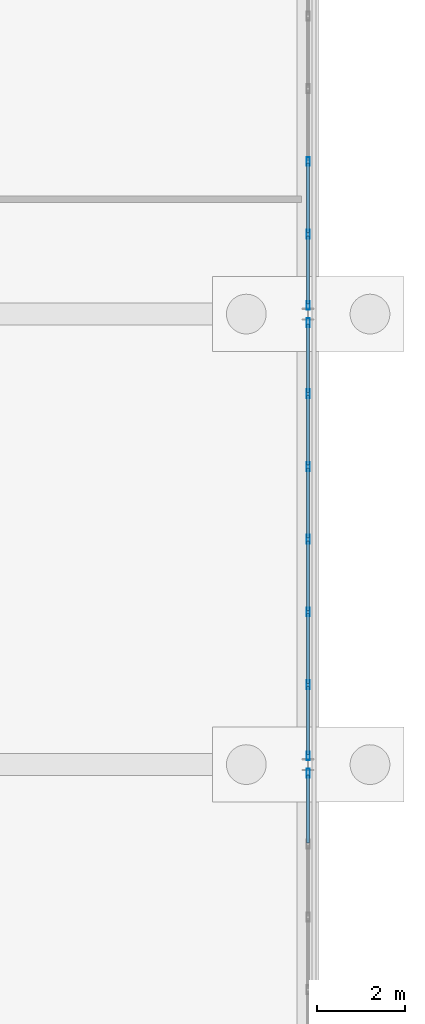
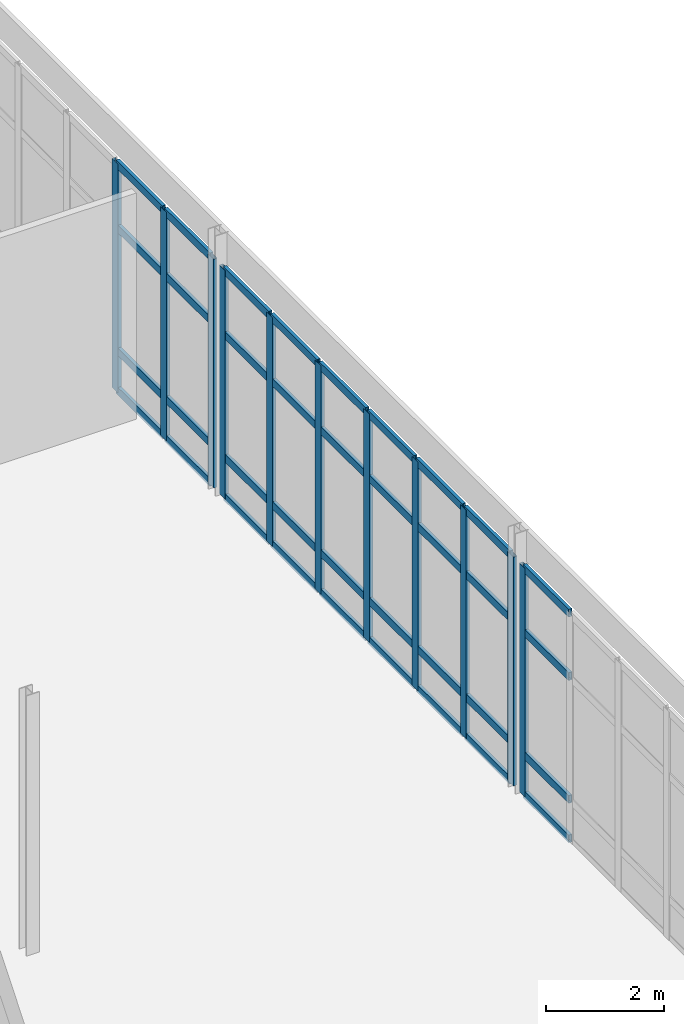
# One storey, part 78 of 137: 47 members, 3 elements without a shape of their own.
"""IFC4 building model written with IfcOpenShell, lengths in metres."""

from ifc_helpers import new_model, si_unit, direction, frame, origin, origin_2d, place, context, subcontext, project, spatial, hollow_rectangle, extrude, material, material_profile, profile_set, type_object, element, aggregate, save


model = new_model("IFC4")

# Units and contexts
model_context = context("Model", 3, precision=1e-05, world=origin(), true_north=direction((0.0, 1.0)))
body_context = subcontext(model_context, "Body", "Model", "MODEL_VIEW")
ifc_project = project(units=[si_unit("LENGTHUNIT", "METRE"), si_unit("AREAUNIT", "SQUARE_METRE"), si_unit("VOLUMEUNIT", "CUBIC_METRE"), si_unit("PLANEANGLEUNIT", "RADIAN"), si_unit("MASSUNIT", "GRAM", prefix="KILO")], contexts=[model_context])

# Site, building, storey
site_placement = place(None, origin())
site = spatial("IfcSite", under=ifc_project, at=site_placement, CompositionType="ELEMENT")
building_placement = place(site_placement, origin())
building = spatial("IfcBuilding", under=site, at=building_placement, Name="Vondelvale Polytechnic", CompositionType="ELEMENT")
storey_placement = place(building_placement, origin())
storey = spatial("IfcBuildingStorey", under=building, at=storey_placement, Name="L00", CompositionType="ELEMENT", Elevation=0.0)

# Curtain wall, member
ifc_material = material(Name="Anodised extruded aluminium 6063-T6", Category="aluminium")
curtain_wall_type = type_object("IfcCurtainWallType", Name="CW-REFECTORY", PredefinedType="NOTDEFINED", material=ifc_material)
curtain_wall_1_placement = place(storey_placement, origin())
curtain_wall_1 = element("IfcCurtainWall", 1, at=curtain_wall_1_placement, inside=storey, type_object=curtain_wall_type, Name="L00 architectural curtain wall CW-05-385", PredefinedType="NOTDEFINED")
ifc_material_profile_1 = material_profile(ifc_material, hollow_rectangle(XDim=0.070068359375, YDim=0.199951171875, WallThickness=0.00390625, at=origin_2d()), Name="CW-MUL-200x70")
ifc_profile_set_1 = profile_set([ifc_material_profile_1], Name="Anodised extruded aluminium 6063-T6")
member_type_1 = type_object("IfcMemberType", Name="CW-MUL-70x200", PredefinedType="MULLION", material=ifc_profile_set_1)
member_1_placement = place(storey_placement, frame((172.800048828125, 61.0048828125, 0.0), z_axis=(0.0, 0.0, 1.0), x_axis=(-1.0, 0.0, 0.0)))
member_1 = element("IfcMember", 2, at=member_1_placement, type_object=member_type_1, Name="CW-05-385 mullion 7", PredefinedType="MULLION", context=body_context, shape_type="SweptSolid", body=[
    extrude(hollow_rectangle(XDim=0.070068359375, YDim=0.199951171875, WallThickness=0.00390625, at=origin_2d()), origin(), (0.0, 0.0, 1.0), 4.75),
])

# Curtain wall, members
curtain_wall_2_placement = place(storey_placement, origin())
curtain_wall_2 = element("IfcCurtainWall", 3, at=curtain_wall_2_placement, inside=storey, type_object=curtain_wall_type, Name="L00 architectural curtain wall CW-05-386", PredefinedType="NOTDEFINED")
member_2_placement = place(storey_placement, frame((172.800048828125, 61.39501953125, 0.0), z_axis=(0.0, 0.0, 1.0), x_axis=(-1.0, 0.0, 0.0)))
member_2 = element("IfcMember", 4, at=member_2_placement, type_object=member_type_1, Name="CW-05-386 mullion 1", PredefinedType="MULLION", context=body_context, shape_type="SweptSolid", body=[
    extrude(hollow_rectangle(XDim=0.070068359375, YDim=0.199951171875, WallThickness=0.00390625, at=origin_2d()), origin(), (0.0, 0.0, 1.0), 4.75),
])
member_3_placement = place(storey_placement, frame((172.800048828125, 63.006591796875, 0.0), z_axis=(0.0, 0.0, 1.0), x_axis=(-1.0, 0.0, 0.0)))
member_3 = element("IfcMember", 5, at=member_3_placement, type_object=member_type_1, Name="CW-05-386 mullion 2", PredefinedType="MULLION", context=body_context, shape_type="SweptSolid", body=[
    extrude(hollow_rectangle(XDim=0.070068359375, YDim=0.199951171875, WallThickness=0.00390625, at=origin_2d()), origin(), (0.0, 0.0, 1.0), 4.75),
])
member_4_placement = place(storey_placement, frame((172.800048828125, 64.6533203125, 0.0), z_axis=(0.0, 0.0, 1.0), x_axis=(-1.0, 0.0, 0.0)))
member_4 = element("IfcMember", 6, at=member_4_placement, type_object=member_type_1, Name="CW-05-386 mullion 3", PredefinedType="MULLION", context=body_context, shape_type="SweptSolid", body=[
    extrude(hollow_rectangle(XDim=0.070068359375, YDim=0.199951171875, WallThickness=0.00390625, at=origin_2d()), origin(), (0.0, 0.0, 1.0), 4.75),
])
member_5_placement = place(storey_placement, frame((172.800048828125, 66.300048828125, 0.0), z_axis=(0.0, 0.0, 1.0), x_axis=(-1.0, 0.0, 0.0)))
member_5 = element("IfcMember", 7, at=member_5_placement, type_object=member_type_1, Name="CW-05-386 mullion 4", PredefinedType="MULLION", context=body_context, shape_type="SweptSolid", body=[
    extrude(hollow_rectangle(XDim=0.070068359375, YDim=0.199951171875, WallThickness=0.00390625, at=origin_2d()), origin(), (0.0, 0.0, 1.0), 4.75),
])
member_6_placement = place(storey_placement, frame((172.800048828125, 67.94677734375, 0.0), z_axis=(0.0, 0.0, 1.0), x_axis=(-1.0, 0.0, 0.0)))
member_6 = element("IfcMember", 8, at=member_6_placement, type_object=member_type_1, Name="CW-05-386 mullion 5", PredefinedType="MULLION", context=body_context, shape_type="SweptSolid", body=[
    extrude(hollow_rectangle(XDim=0.070068359375, YDim=0.199951171875, WallThickness=0.00390625, at=origin_2d()), origin(), (0.0, 0.0, 1.0), 4.75),
])
member_7_placement = place(storey_placement, frame((172.800048828125, 69.59326171875, 0.0), z_axis=(0.0, 0.0, 1.0), x_axis=(-1.0, 0.0, 0.0)))
member_7 = element("IfcMember", 9, at=member_7_placement, type_object=member_type_1, Name="CW-05-386 mullion 6", PredefinedType="MULLION", context=body_context, shape_type="SweptSolid", body=[
    extrude(hollow_rectangle(XDim=0.070068359375, YDim=0.199951171875, WallThickness=0.00390625, at=origin_2d()), origin(), (0.0, 0.0, 1.0), 4.75),
])
member_8_placement = place(storey_placement, frame((172.800048828125, 71.205078125, 0.0), z_axis=(0.0, 0.0, 1.0), x_axis=(-1.0, 0.0, 0.0)))
member_8 = element("IfcMember", 10, at=member_8_placement, type_object=member_type_1, Name="CW-05-386 mullion 7", PredefinedType="MULLION", context=body_context, shape_type="SweptSolid", body=[
    extrude(hollow_rectangle(XDim=0.070068359375, YDim=0.199951171875, WallThickness=0.00390625, at=origin_2d()), origin(), (0.0, 0.0, 1.0), 4.75),
])

curtain_wall_3_placement = place(storey_placement, origin())
curtain_wall_3 = element("IfcCurtainWall", 11, at=curtain_wall_3_placement, inside=storey, type_object=curtain_wall_type, Name="L00 architectural curtain wall CW-05-387", PredefinedType="NOTDEFINED")
member_9_placement = place(storey_placement, frame((172.800048828125, 71.594970703125, 0.0), z_axis=(0.0, 0.0, 1.0), x_axis=(-1.0, 0.0, 0.0)))
member_9 = element("IfcMember", 12, at=member_9_placement, type_object=member_type_1, Name="CW-05-387 mullion 1", PredefinedType="MULLION", context=body_context, shape_type="SweptSolid", body=[
    extrude(hollow_rectangle(XDim=0.070068359375, YDim=0.199951171875, WallThickness=0.00390625, at=origin_2d()), origin(), (0.0, 0.0, 1.0), 4.75),
])
member_10_placement = place(storey_placement, frame((172.800048828125, 73.206787109375, 0.0), z_axis=(0.0, 0.0, 1.0), x_axis=(-1.0, 0.0, 0.0)))
member_10 = element("IfcMember", 13, at=member_10_placement, type_object=member_type_1, Name="CW-05-387 mullion 2", PredefinedType="MULLION", context=body_context, shape_type="SweptSolid", body=[
    extrude(hollow_rectangle(XDim=0.070068359375, YDim=0.199951171875, WallThickness=0.00390625, at=origin_2d()), origin(), (0.0, 0.0, 1.0), 4.75),
])
member_11_placement = place(storey_placement, frame((172.800048828125, 74.853271484375, 0.0), z_axis=(0.0, 0.0, 1.0), x_axis=(-1.0, 0.0, 0.0)))
member_11 = element("IfcMember", 14, at=member_11_placement, type_object=member_type_1, Name="CW-05-387 mullion 3", PredefinedType="MULLION", context=body_context, shape_type="SweptSolid", body=[
    extrude(hollow_rectangle(XDim=0.070068359375, YDim=0.199951171875, WallThickness=0.00390625, at=origin_2d()), origin(), (0.0, 0.0, 1.0), 4.75),
])

# Member
ifc_material_profile_2 = material_profile(ifc_material, hollow_rectangle(XDim=0.06494140625, YDim=0.159912109375, WallThickness=0.00341796875, at=origin_2d()), Name="CW-TRN-160x65")
ifc_profile_set_2 = profile_set([ifc_material_profile_2], Name="Anodised extruded aluminium 6063-T6")
member_type_2 = type_object("IfcMemberType", Name="CW-TRN-70x160", PredefinedType="USERDEFINED", material=ifc_profile_set_2)
member_12_placement = place(storey_placement, frame((172.800048828125, 59.42822265625, 0.032470703125), z_axis=(0.0, 1.0, 0.0), x_axis=(-1.0, 0.0, 0.0)))
member_12 = element("IfcMember", 15, at=member_12_placement, type_object=member_type_2, Name="CW-05-385 transom 6.1", ObjectType="TRANSOM", PredefinedType="USERDEFINED", context=body_context, shape_type="SweptSolid", body=[
    extrude(hollow_rectangle(XDim=0.06494140625, YDim=0.159912109375, WallThickness=0.00341796875, at=origin_2d()), origin(), (0.0, 0.0, 1.0), 1.541748046875),
])

member_13_placement = place(storey_placement, frame((172.800048828125, 59.42822265625, 0.85009765625), z_axis=(0.0, 1.0, 0.0), x_axis=(-1.0, 0.0, 0.0)))
member_13 = element("IfcMember", 16, at=member_13_placement, type_object=member_type_2, Name="CW-05-385 transom 6.2", ObjectType="TRANSOM", PredefinedType="USERDEFINED", context=body_context, shape_type="SweptSolid", body=[
    extrude(hollow_rectangle(XDim=0.06494140625, YDim=0.159912109375, WallThickness=0.00341796875, at=origin_2d()), origin(), (0.0, 0.0, 1.0), 1.541748046875),
])

member_14_placement = place(storey_placement, frame((172.800048828125, 59.42822265625, 3.39990234375), z_axis=(0.0, 1.0, 0.0), x_axis=(-1.0, 0.0, 0.0)))
member_14 = element("IfcMember", 17, at=member_14_placement, type_object=member_type_2, Name="CW-05-385 transom 6.3", ObjectType="TRANSOM", PredefinedType="USERDEFINED", context=body_context, shape_type="SweptSolid", body=[
    extrude(hollow_rectangle(XDim=0.06494140625, YDim=0.159912109375, WallThickness=0.00341796875, at=origin_2d()), origin(), (0.0, 0.0, 1.0), 1.541748046875),
])

member_15_placement = place(storey_placement, frame((172.800048828125, 59.42822265625, 4.717529296875), z_axis=(0.0, 1.0, 0.0), x_axis=(-1.0, 0.0, 0.0)))
member_15 = element("IfcMember", 18, at=member_15_placement, type_object=member_type_2, Name="CW-05-385 transom 6.4", ObjectType="TRANSOM", PredefinedType="USERDEFINED", context=body_context, shape_type="SweptSolid", body=[
    extrude(hollow_rectangle(XDim=0.06494140625, YDim=0.159912109375, WallThickness=0.00341796875, at=origin_2d()), origin(), (0.0, 0.0, 1.0), 1.541748046875),
])

aggregate(curtain_wall_1, [member_1, member_12, member_13, member_14, member_15])

member_16_placement = place(storey_placement, frame((172.800048828125, 61.429931640625, 0.032470703125), z_axis=(0.0, 1.0, 0.0), x_axis=(-1.0, 0.0, 0.0)))
member_16 = element("IfcMember", 19, at=member_16_placement, type_object=member_type_2, Name="CW-05-386 transom 1.1", ObjectType="TRANSOM", PredefinedType="USERDEFINED", context=body_context, shape_type="SweptSolid", body=[
    extrude(hollow_rectangle(XDim=0.06494140625, YDim=0.159912109375, WallThickness=0.00341796875, at=origin_2d()), origin(), (0.0, 0.0, 1.0), 1.541748046875),
])

member_17_placement = place(storey_placement, frame((172.800048828125, 61.429931640625, 0.85009765625), z_axis=(0.0, 1.0, 0.0), x_axis=(-1.0, 0.0, 0.0)))
member_17 = element("IfcMember", 20, at=member_17_placement, type_object=member_type_2, Name="CW-05-386 transom 1.2", ObjectType="TRANSOM", PredefinedType="USERDEFINED", context=body_context, shape_type="SweptSolid", body=[
    extrude(hollow_rectangle(XDim=0.06494140625, YDim=0.159912109375, WallThickness=0.00341796875, at=origin_2d()), origin(), (0.0, 0.0, 1.0), 1.541748046875),
])

member_18_placement = place(storey_placement, frame((172.800048828125, 61.429931640625, 3.39990234375), z_axis=(0.0, 1.0, 0.0), x_axis=(-1.0, 0.0, 0.0)))
member_18 = element("IfcMember", 21, at=member_18_placement, type_object=member_type_2, Name="CW-05-386 transom 1.3", ObjectType="TRANSOM", PredefinedType="USERDEFINED", context=body_context, shape_type="SweptSolid", body=[
    extrude(hollow_rectangle(XDim=0.06494140625, YDim=0.159912109375, WallThickness=0.00341796875, at=origin_2d()), origin(), (0.0, 0.0, 1.0), 1.541748046875),
])

member_19_placement = place(storey_placement, frame((172.800048828125, 61.429931640625, 4.717529296875), z_axis=(0.0, 1.0, 0.0), x_axis=(-1.0, 0.0, 0.0)))
member_19 = element("IfcMember", 22, at=member_19_placement, type_object=member_type_2, Name="CW-05-386 transom 1.4", ObjectType="TRANSOM", PredefinedType="USERDEFINED", context=body_context, shape_type="SweptSolid", body=[
    extrude(hollow_rectangle(XDim=0.06494140625, YDim=0.159912109375, WallThickness=0.00341796875, at=origin_2d()), origin(), (0.0, 0.0, 1.0), 1.541748046875),
])

member_20_placement = place(storey_placement, frame((172.800048828125, 63.041748046875, 0.032470703125), z_axis=(0.0, 1.0, 0.0), x_axis=(-1.0, 0.0, 0.0)))
member_20 = element("IfcMember", 23, at=member_20_placement, type_object=member_type_2, Name="CW-05-386 transom 2.1", ObjectType="TRANSOM", PredefinedType="USERDEFINED", context=body_context, shape_type="SweptSolid", body=[
    extrude(hollow_rectangle(XDim=0.06494140625, YDim=0.159912109375, WallThickness=0.00341796875, at=origin_2d()), origin(), (0.0, 0.0, 1.0), 1.57666015625),
])

member_21_placement = place(storey_placement, frame((172.800048828125, 63.041748046875, 0.85009765625), z_axis=(0.0, 1.0, 0.0), x_axis=(-1.0, 0.0, 0.0)))
member_21 = element("IfcMember", 24, at=member_21_placement, type_object=member_type_2, Name="CW-05-386 transom 2.2", ObjectType="TRANSOM", PredefinedType="USERDEFINED", context=body_context, shape_type="SweptSolid", body=[
    extrude(hollow_rectangle(XDim=0.06494140625, YDim=0.159912109375, WallThickness=0.00341796875, at=origin_2d()), origin(), (0.0, 0.0, 1.0), 1.57666015625),
])

member_22_placement = place(storey_placement, frame((172.800048828125, 63.041748046875, 3.39990234375), z_axis=(0.0, 1.0, 0.0), x_axis=(-1.0, 0.0, 0.0)))
member_22 = element("IfcMember", 25, at=member_22_placement, type_object=member_type_2, Name="CW-05-386 transom 2.3", ObjectType="TRANSOM", PredefinedType="USERDEFINED", context=body_context, shape_type="SweptSolid", body=[
    extrude(hollow_rectangle(XDim=0.06494140625, YDim=0.159912109375, WallThickness=0.00341796875, at=origin_2d()), origin(), (0.0, 0.0, 1.0), 1.57666015625),
])

member_23_placement = place(storey_placement, frame((172.800048828125, 63.041748046875, 4.717529296875), z_axis=(0.0, 1.0, 0.0), x_axis=(-1.0, 0.0, 0.0)))
member_23 = element("IfcMember", 26, at=member_23_placement, type_object=member_type_2, Name="CW-05-386 transom 2.4", ObjectType="TRANSOM", PredefinedType="USERDEFINED", context=body_context, shape_type="SweptSolid", body=[
    extrude(hollow_rectangle(XDim=0.06494140625, YDim=0.159912109375, WallThickness=0.00341796875, at=origin_2d()), origin(), (0.0, 0.0, 1.0), 1.57666015625),
])

member_24_placement = place(storey_placement, frame((172.800048828125, 64.688232421875, 0.032470703125), z_axis=(0.0, 1.0, 0.0), x_axis=(-1.0, 0.0, 0.0)))
member_24 = element("IfcMember", 27, at=member_24_placement, type_object=member_type_2, Name="CW-05-386 transom 3.1", ObjectType="TRANSOM", PredefinedType="USERDEFINED", context=body_context, shape_type="SweptSolid", body=[
    extrude(hollow_rectangle(XDim=0.06494140625, YDim=0.159912109375, WallThickness=0.00341796875, at=origin_2d()), origin(), (0.0, 0.0, 1.0), 1.57666015625),
])

member_25_placement = place(storey_placement, frame((172.800048828125, 64.688232421875, 0.85009765625), z_axis=(0.0, 1.0, 0.0), x_axis=(-1.0, 0.0, 0.0)))
member_25 = element("IfcMember", 28, at=member_25_placement, type_object=member_type_2, Name="CW-05-386 transom 3.2", ObjectType="TRANSOM", PredefinedType="USERDEFINED", context=body_context, shape_type="SweptSolid", body=[
    extrude(hollow_rectangle(XDim=0.06494140625, YDim=0.159912109375, WallThickness=0.00341796875, at=origin_2d()), origin(), (0.0, 0.0, 1.0), 1.57666015625),
])

member_26_placement = place(storey_placement, frame((172.800048828125, 64.688232421875, 3.39990234375), z_axis=(0.0, 1.0, 0.0), x_axis=(-1.0, 0.0, 0.0)))
member_26 = element("IfcMember", 29, at=member_26_placement, type_object=member_type_2, Name="CW-05-386 transom 3.3", ObjectType="TRANSOM", PredefinedType="USERDEFINED", context=body_context, shape_type="SweptSolid", body=[
    extrude(hollow_rectangle(XDim=0.06494140625, YDim=0.159912109375, WallThickness=0.00341796875, at=origin_2d()), origin(), (0.0, 0.0, 1.0), 1.57666015625),
])

member_27_placement = place(storey_placement, frame((172.800048828125, 64.688232421875, 4.717529296875), z_axis=(0.0, 1.0, 0.0), x_axis=(-1.0, 0.0, 0.0)))
member_27 = element("IfcMember", 30, at=member_27_placement, type_object=member_type_2, Name="CW-05-386 transom 3.4", ObjectType="TRANSOM", PredefinedType="USERDEFINED", context=body_context, shape_type="SweptSolid", body=[
    extrude(hollow_rectangle(XDim=0.06494140625, YDim=0.159912109375, WallThickness=0.00341796875, at=origin_2d()), origin(), (0.0, 0.0, 1.0), 1.57666015625),
])

member_28_placement = place(storey_placement, frame((172.800048828125, 66.3349609375, 0.032470703125), z_axis=(0.0, 1.0, 0.0), x_axis=(-1.0, 0.0, 0.0)))
member_28 = element("IfcMember", 31, at=member_28_placement, type_object=member_type_2, Name="CW-05-386 transom 4.1", ObjectType="TRANSOM", PredefinedType="USERDEFINED", context=body_context, shape_type="SweptSolid", body=[
    extrude(hollow_rectangle(XDim=0.06494140625, YDim=0.159912109375, WallThickness=0.00341796875, at=origin_2d()), origin(), (0.0, 0.0, 1.0), 1.57666015625),
])

member_29_placement = place(storey_placement, frame((172.800048828125, 66.3349609375, 0.85009765625), z_axis=(0.0, 1.0, 0.0), x_axis=(-1.0, 0.0, 0.0)))
member_29 = element("IfcMember", 32, at=member_29_placement, type_object=member_type_2, Name="CW-05-386 transom 4.2", ObjectType="TRANSOM", PredefinedType="USERDEFINED", context=body_context, shape_type="SweptSolid", body=[
    extrude(hollow_rectangle(XDim=0.06494140625, YDim=0.159912109375, WallThickness=0.00341796875, at=origin_2d()), origin(), (0.0, 0.0, 1.0), 1.57666015625),
])

member_30_placement = place(storey_placement, frame((172.800048828125, 66.3349609375, 3.39990234375), z_axis=(0.0, 1.0, 0.0), x_axis=(-1.0, 0.0, 0.0)))
member_30 = element("IfcMember", 33, at=member_30_placement, type_object=member_type_2, Name="CW-05-386 transom 4.3", ObjectType="TRANSOM", PredefinedType="USERDEFINED", context=body_context, shape_type="SweptSolid", body=[
    extrude(hollow_rectangle(XDim=0.06494140625, YDim=0.159912109375, WallThickness=0.00341796875, at=origin_2d()), origin(), (0.0, 0.0, 1.0), 1.57666015625),
])

member_31_placement = place(storey_placement, frame((172.800048828125, 66.3349609375, 4.717529296875), z_axis=(0.0, 1.0, 0.0), x_axis=(-1.0, 0.0, 0.0)))
member_31 = element("IfcMember", 34, at=member_31_placement, type_object=member_type_2, Name="CW-05-386 transom 4.4", ObjectType="TRANSOM", PredefinedType="USERDEFINED", context=body_context, shape_type="SweptSolid", body=[
    extrude(hollow_rectangle(XDim=0.06494140625, YDim=0.159912109375, WallThickness=0.00341796875, at=origin_2d()), origin(), (0.0, 0.0, 1.0), 1.57666015625),
])

member_32_placement = place(storey_placement, frame((172.800048828125, 67.981689453125, 0.032470703125), z_axis=(0.0, 1.0, 0.0), x_axis=(-1.0, 0.0, 0.0)))
member_32 = element("IfcMember", 35, at=member_32_placement, type_object=member_type_2, Name="CW-05-386 transom 5.1", ObjectType="TRANSOM", PredefinedType="USERDEFINED", context=body_context, shape_type="SweptSolid", body=[
    extrude(hollow_rectangle(XDim=0.06494140625, YDim=0.159912109375, WallThickness=0.00341796875, at=origin_2d()), origin(), (0.0, 0.0, 1.0), 1.57666015625),
])

member_33_placement = place(storey_placement, frame((172.800048828125, 67.981689453125, 0.85009765625), z_axis=(0.0, 1.0, 0.0), x_axis=(-1.0, 0.0, 0.0)))
member_33 = element("IfcMember", 36, at=member_33_placement, type_object=member_type_2, Name="CW-05-386 transom 5.2", ObjectType="TRANSOM", PredefinedType="USERDEFINED", context=body_context, shape_type="SweptSolid", body=[
    extrude(hollow_rectangle(XDim=0.06494140625, YDim=0.159912109375, WallThickness=0.00341796875, at=origin_2d()), origin(), (0.0, 0.0, 1.0), 1.57666015625),
])

member_34_placement = place(storey_placement, frame((172.800048828125, 67.981689453125, 3.39990234375), z_axis=(0.0, 1.0, 0.0), x_axis=(-1.0, 0.0, 0.0)))
member_34 = element("IfcMember", 37, at=member_34_placement, type_object=member_type_2, Name="CW-05-386 transom 5.3", ObjectType="TRANSOM", PredefinedType="USERDEFINED", context=body_context, shape_type="SweptSolid", body=[
    extrude(hollow_rectangle(XDim=0.06494140625, YDim=0.159912109375, WallThickness=0.00341796875, at=origin_2d()), origin(), (0.0, 0.0, 1.0), 1.57666015625),
])

member_35_placement = place(storey_placement, frame((172.800048828125, 67.981689453125, 4.717529296875), z_axis=(0.0, 1.0, 0.0), x_axis=(-1.0, 0.0, 0.0)))
member_35 = element("IfcMember", 38, at=member_35_placement, type_object=member_type_2, Name="CW-05-386 transom 5.4", ObjectType="TRANSOM", PredefinedType="USERDEFINED", context=body_context, shape_type="SweptSolid", body=[
    extrude(hollow_rectangle(XDim=0.06494140625, YDim=0.159912109375, WallThickness=0.00341796875, at=origin_2d()), origin(), (0.0, 0.0, 1.0), 1.57666015625),
])

member_36_placement = place(storey_placement, frame((172.800048828125, 69.62841796875, 0.032470703125), z_axis=(0.0, 1.0, 0.0), x_axis=(-1.0, 0.0, 0.0)))
member_36 = element("IfcMember", 39, at=member_36_placement, type_object=member_type_2, Name="CW-05-386 transom 6.1", ObjectType="TRANSOM", PredefinedType="USERDEFINED", context=body_context, shape_type="SweptSolid", body=[
    extrude(hollow_rectangle(XDim=0.06494140625, YDim=0.159912109375, WallThickness=0.00341796875, at=origin_2d()), origin(), (0.0, 0.0, 1.0), 1.54150390625),
])

member_37_placement = place(storey_placement, frame((172.800048828125, 69.62841796875, 0.85009765625), z_axis=(0.0, 1.0, 0.0), x_axis=(-1.0, 0.0, 0.0)))
member_37 = element("IfcMember", 40, at=member_37_placement, type_object=member_type_2, Name="CW-05-386 transom 6.2", ObjectType="TRANSOM", PredefinedType="USERDEFINED", context=body_context, shape_type="SweptSolid", body=[
    extrude(hollow_rectangle(XDim=0.06494140625, YDim=0.159912109375, WallThickness=0.00341796875, at=origin_2d()), origin(), (0.0, 0.0, 1.0), 1.54150390625),
])

member_38_placement = place(storey_placement, frame((172.800048828125, 69.62841796875, 3.39990234375), z_axis=(0.0, 1.0, 0.0), x_axis=(-1.0, 0.0, 0.0)))
member_38 = element("IfcMember", 41, at=member_38_placement, type_object=member_type_2, Name="CW-05-386 transom 6.3", ObjectType="TRANSOM", PredefinedType="USERDEFINED", context=body_context, shape_type="SweptSolid", body=[
    extrude(hollow_rectangle(XDim=0.06494140625, YDim=0.159912109375, WallThickness=0.00341796875, at=origin_2d()), origin(), (0.0, 0.0, 1.0), 1.54150390625),
])

member_39_placement = place(storey_placement, frame((172.800048828125, 69.62841796875, 4.717529296875), z_axis=(0.0, 1.0, 0.0), x_axis=(-1.0, 0.0, 0.0)))
member_39 = element("IfcMember", 42, at=member_39_placement, type_object=member_type_2, Name="CW-05-386 transom 6.4", ObjectType="TRANSOM", PredefinedType="USERDEFINED", context=body_context, shape_type="SweptSolid", body=[
    extrude(hollow_rectangle(XDim=0.06494140625, YDim=0.159912109375, WallThickness=0.00341796875, at=origin_2d()), origin(), (0.0, 0.0, 1.0), 1.54150390625),
])

aggregate(curtain_wall_2, [member_2, member_3, member_4, member_5, member_6, member_7, member_8, member_16, member_17, member_18, member_19, member_20, member_21, member_22, member_23, member_24, member_25, member_26, member_27, member_28, member_29, member_30, member_31, member_32, member_33, member_34, member_35, member_36, member_37, member_38, member_39])

member_40_placement = place(storey_placement, frame((172.800048828125, 71.6298828125, 0.032470703125), z_axis=(0.0, 1.0, 0.0), x_axis=(-1.0, 0.0, 0.0)))
member_40 = element("IfcMember", 43, at=member_40_placement, type_object=member_type_2, Name="CW-05-387 transom 1.1", ObjectType="TRANSOM", PredefinedType="USERDEFINED", context=body_context, shape_type="SweptSolid", body=[
    extrude(hollow_rectangle(XDim=0.06494140625, YDim=0.159912109375, WallThickness=0.00341796875, at=origin_2d()), origin(), (0.0, 0.0, 1.0), 1.541748046875),
])

member_41_placement = place(storey_placement, frame((172.800048828125, 71.6298828125, 0.85009765625), z_axis=(0.0, 1.0, 0.0), x_axis=(-1.0, 0.0, 0.0)))
member_41 = element("IfcMember", 44, at=member_41_placement, type_object=member_type_2, Name="CW-05-387 transom 1.2", ObjectType="TRANSOM", PredefinedType="USERDEFINED", context=body_context, shape_type="SweptSolid", body=[
    extrude(hollow_rectangle(XDim=0.06494140625, YDim=0.159912109375, WallThickness=0.00341796875, at=origin_2d()), origin(), (0.0, 0.0, 1.0), 1.541748046875),
])

member_42_placement = place(storey_placement, frame((172.800048828125, 71.6298828125, 3.39990234375), z_axis=(0.0, 1.0, 0.0), x_axis=(-1.0, 0.0, 0.0)))
member_42 = element("IfcMember", 45, at=member_42_placement, type_object=member_type_2, Name="CW-05-387 transom 1.3", ObjectType="TRANSOM", PredefinedType="USERDEFINED", context=body_context, shape_type="SweptSolid", body=[
    extrude(hollow_rectangle(XDim=0.06494140625, YDim=0.159912109375, WallThickness=0.00341796875, at=origin_2d()), origin(), (0.0, 0.0, 1.0), 1.541748046875),
])

member_43_placement = place(storey_placement, frame((172.800048828125, 71.6298828125, 4.717529296875), z_axis=(0.0, 1.0, 0.0), x_axis=(-1.0, 0.0, 0.0)))
member_43 = element("IfcMember", 46, at=member_43_placement, type_object=member_type_2, Name="CW-05-387 transom 1.4", ObjectType="TRANSOM", PredefinedType="USERDEFINED", context=body_context, shape_type="SweptSolid", body=[
    extrude(hollow_rectangle(XDim=0.06494140625, YDim=0.159912109375, WallThickness=0.00341796875, at=origin_2d()), origin(), (0.0, 0.0, 1.0), 1.541748046875),
])

member_44_placement = place(storey_placement, frame((172.800048828125, 73.24169921875, 0.032470703125), z_axis=(0.0, 1.0, 0.0), x_axis=(-1.0, 0.0, 0.0)))
member_44 = element("IfcMember", 47, at=member_44_placement, type_object=member_type_2, Name="CW-05-387 transom 2.1", ObjectType="TRANSOM", PredefinedType="USERDEFINED", context=body_context, shape_type="SweptSolid", body=[
    extrude(hollow_rectangle(XDim=0.06494140625, YDim=0.159912109375, WallThickness=0.00341796875, at=origin_2d()), origin(), (0.0, 0.0, 1.0), 1.57666015625),
])

member_45_placement = place(storey_placement, frame((172.800048828125, 73.24169921875, 0.85009765625), z_axis=(0.0, 1.0, 0.0), x_axis=(-1.0, 0.0, 0.0)))
member_45 = element("IfcMember", 48, at=member_45_placement, type_object=member_type_2, Name="CW-05-387 transom 2.2", ObjectType="TRANSOM", PredefinedType="USERDEFINED", context=body_context, shape_type="SweptSolid", body=[
    extrude(hollow_rectangle(XDim=0.06494140625, YDim=0.159912109375, WallThickness=0.00341796875, at=origin_2d()), origin(), (0.0, 0.0, 1.0), 1.57666015625),
])

member_46_placement = place(storey_placement, frame((172.800048828125, 73.24169921875, 3.39990234375), z_axis=(0.0, 1.0, 0.0), x_axis=(-1.0, 0.0, 0.0)))
member_46 = element("IfcMember", 49, at=member_46_placement, type_object=member_type_2, Name="CW-05-387 transom 2.3", ObjectType="TRANSOM", PredefinedType="USERDEFINED", context=body_context, shape_type="SweptSolid", body=[
    extrude(hollow_rectangle(XDim=0.06494140625, YDim=0.159912109375, WallThickness=0.00341796875, at=origin_2d()), origin(), (0.0, 0.0, 1.0), 1.57666015625),
])

member_47_placement = place(storey_placement, frame((172.800048828125, 73.24169921875, 4.717529296875), z_axis=(0.0, 1.0, 0.0), x_axis=(-1.0, 0.0, 0.0)))
member_47 = element("IfcMember", 50, at=member_47_placement, type_object=member_type_2, Name="CW-05-387 transom 2.4", ObjectType="TRANSOM", PredefinedType="USERDEFINED", context=body_context, shape_type="SweptSolid", body=[
    extrude(hollow_rectangle(XDim=0.06494140625, YDim=0.159912109375, WallThickness=0.00341796875, at=origin_2d()), origin(), (0.0, 0.0, 1.0), 1.57666015625),
])

aggregate(curtain_wall_3, [member_9, member_10, member_11, member_40, member_41, member_42, member_43, member_44, member_45, member_46, member_47])

save(model, "model.ifc")
